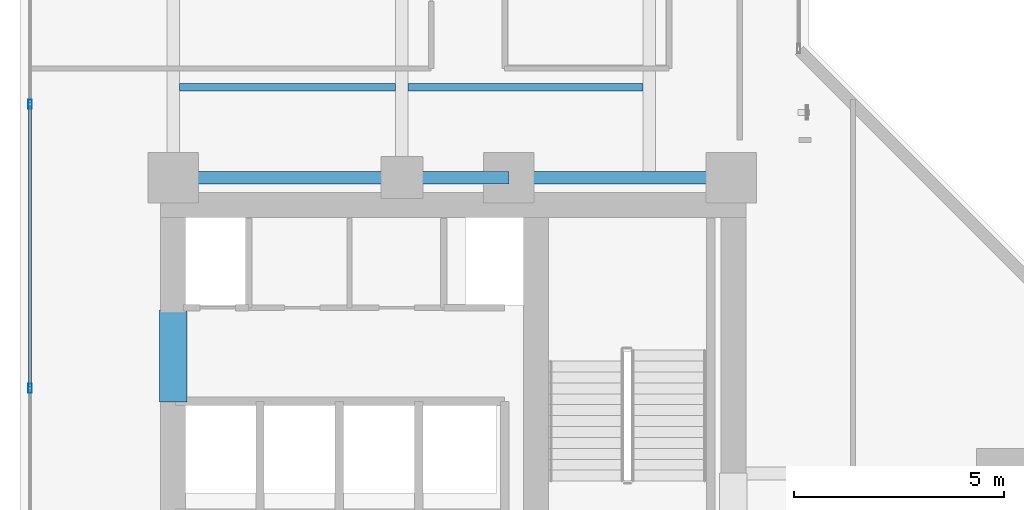
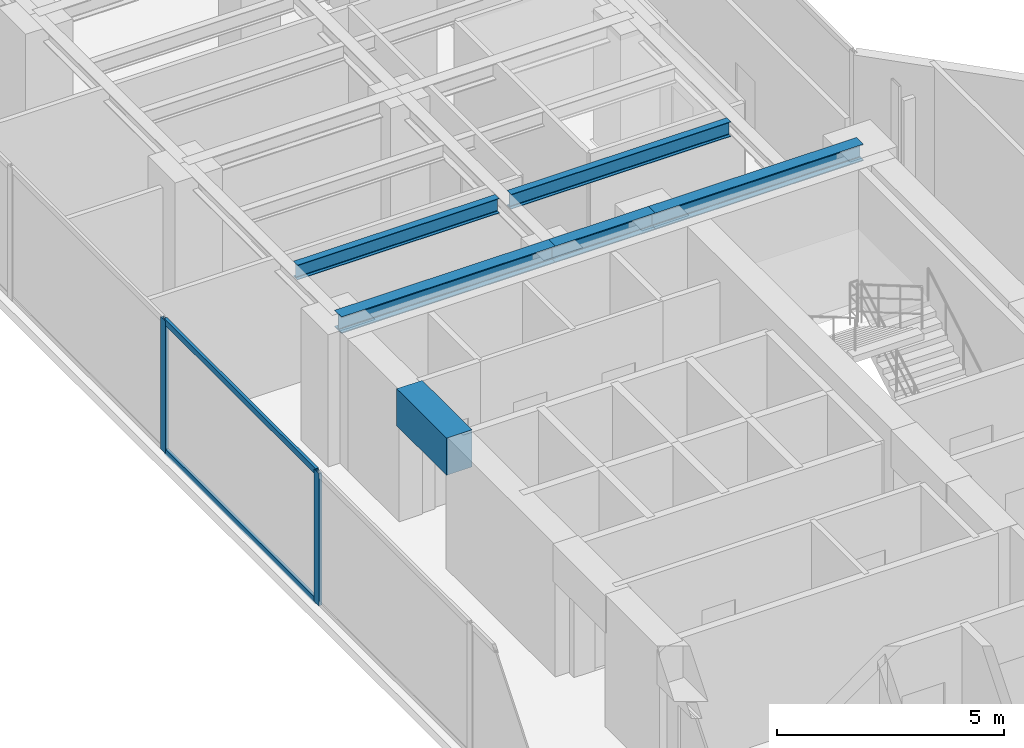
# One storey, part 7 of 27: 6 beams, 4 members, 1 element without a shape of its own.
"""IFC4 building model written with IfcOpenShell, lengths in metres."""

from ifc_helpers import new_model, si_unit, direction, frame, origin, origin_with_axes, origin_2d, place, context, subcontext, project, spatial, rectangle, hollow_rectangle, i_section, extrude, source, transform, mapped, material, layer, layer_set, material_profile, profile_set, type_object, element, aggregate, save


model = new_model("IFC4")

# Units and contexts
model_context = context("Model", 3, precision=1e-05, world=origin(), true_north=direction((0.0, 1.0)))
body_context = subcontext(model_context, "Body", "Model", "MODEL_VIEW")
ifc_project = project(units=[si_unit("LENGTHUNIT", "METRE"), si_unit("AREAUNIT", "SQUARE_METRE"), si_unit("VOLUMEUNIT", "CUBIC_METRE"), si_unit("PLANEANGLEUNIT", "RADIAN"), si_unit("MASSUNIT", "GRAM", prefix="KILO")], contexts=[model_context])

# Site, building, storey
site_placement = place(None, origin())
site = spatial("IfcSite", under=ifc_project, at=site_placement, CompositionType="ELEMENT")
building_placement = place(site_placement, origin())
building = spatial("IfcBuilding", under=site, at=building_placement, Name="Kolvaren Waterfront Exchange", CompositionType="ELEMENT")
storey_placement = place(building_placement, frame((0.0, 0.0, 161.39990234375)))
storey = spatial("IfcBuildingStorey", under=building, at=storey_placement, Name="L41", CompositionType="ELEMENT", Elevation=161.39990234375)

# Beams
ifc_material_1 = material(Name="Steel S355", Category="steel")
ifc_material_profile_1 = material_profile(ifc_material_1, i_section(OverallWidth=0.300048828125, OverallDepth=0.449951171875, WebThickness=0.013916015625, FlangeThickness=0.02587890625, FilletRadius=0.027099609375, at=origin_2d()), Name="HEB450")
ifc_profile_set_1 = profile_set([ifc_material_profile_1], Name="Steel S355")
beam_type_1 = type_object("IfcBeamType", Name="STR-BM-HEB450", PredefinedType="BEAM", material=ifc_profile_set_1)
beam_1_placement = place(storey_placement, frame((7.449951171875, 24.449951171875, 3.335205078125), z_axis=(1.0, 0.0, 0.0), x_axis=(0.0, 1.0, 0.0)))
element("IfcBeam", 1, at=beam_1_placement, inside=storey, type_object=beam_type_1, Name="L41 north-arm girder 1A", PredefinedType="BEAM", context=body_context, shape_type="SweptSolid", body=[
    extrude(i_section(OverallWidth=0.300048828125, OverallDepth=0.449951171875, WebThickness=0.013916015625, FlangeThickness=0.02587890625, FilletRadius=0.027099609375, at=origin_2d()), origin(), (0.0, 0.0, 1.0), 5.449951171875),
])
beam_2_placement = place(storey_placement, frame((12.89990234375, 24.449951171875, 3.335205078125), z_axis=(1.0, 0.0, 0.0), x_axis=(0.0, 1.0, 0.0)))
element("IfcBeam", 2, at=beam_2_placement, inside=storey, type_object=beam_type_1, Name="L41 north-arm girder 1B", PredefinedType="BEAM", context=body_context, shape_type="SweptSolid", body=[
    extrude(i_section(OverallWidth=0.300048828125, OverallDepth=0.449951171875, WebThickness=0.013916015625, FlangeThickness=0.02587890625, FilletRadius=0.027099609375, at=origin_2d()), origin(), (0.0, 0.0, 1.0), 2.550048828125),
])
beam_3_placement = place(storey_placement, frame((15.449951171875, 24.449951171875, 3.335205078125), z_axis=(1.0, 0.0, 0.0), x_axis=(0.0, 1.0, 0.0)))
element("IfcBeam", 3, at=beam_3_placement, inside=storey, type_object=beam_type_1, Name="L41 north-arm girder 1C", PredefinedType="BEAM", context=body_context, shape_type="SweptSolid", body=[
    extrude(i_section(OverallWidth=0.300048828125, OverallDepth=0.449951171875, WebThickness=0.013916015625, FlangeThickness=0.02587890625, FilletRadius=0.027099609375, at=origin_2d()), origin(), (0.0, 0.0, 1.0), 5.300048828125),
])
ifc_material_profile_2 = material_profile(ifc_material_1, i_section(OverallWidth=0.179931640625, OverallDepth=0.39990234375, WebThickness=0.008544921875, FlangeThickness=0.013427734375, FilletRadius=0.02099609375, at=origin_2d()), Name="IPE400")
ifc_profile_set_2 = profile_set([ifc_material_profile_2], Name="Steel S355")
beam_type_2 = type_object("IfcBeamType", Name="STR-BM-IPE400", PredefinedType="JOIST", material=ifc_profile_set_2)
beam_4_placement = place(storey_placement, frame((7.60205078125, 26.60009765625, 3.360107421875), z_axis=(1.0, 0.0, 0.0), x_axis=(0.0, 1.0, 0.0)))
element("IfcBeam", 4, at=beam_4_placement, inside=storey, type_object=beam_type_2, Name="L41 north-arm composite joist 1A", PredefinedType="JOIST", context=body_context, shape_type="SweptSolid", body=[
    extrude(i_section(OverallWidth=0.179931640625, OverallDepth=0.39990234375, WebThickness=0.008544921875, FlangeThickness=0.013427734375, FilletRadius=0.02099609375, at=origin_2d()), origin(), (0.0, 0.0, 1.0), 5.14599609375),
])
beam_5_placement = place(storey_placement, frame((13.052001953125, 26.60009765625, 3.360107421875), z_axis=(1.0, 0.0, 0.0), x_axis=(0.0, 1.0, 0.0)))
element("IfcBeam", 5, at=beam_5_placement, inside=storey, type_object=beam_type_2, Name="L41 north-arm composite joist 1B", PredefinedType="JOIST", context=body_context, shape_type="SweptSolid", body=[
    extrude(i_section(OverallWidth=0.179931640625, OverallDepth=0.39990234375, WebThickness=0.008544921875, FlangeThickness=0.013427734375, FilletRadius=0.02099609375, at=origin_2d()), origin(), (0.0, 0.0, 1.0), 5.595947265625),
])
ifc_material_2 = material(Name="Concrete C60/75", Category="concrete")
ifc_material_profile_3 = material_profile(ifc_material_2, rectangle(XDim=0.64990234375, YDim=1.0, at=origin_2d()), Name="RC-CB-1000x650")
ifc_profile_set_3 = profile_set([ifc_material_profile_3], Name="Concrete C60/75")
beam_type_3 = type_object("IfcBeamType", Name="STR-CB-1000", PredefinedType="SPANDREL", material=ifc_profile_set_3)
beam_6_placement = place(storey_placement, frame((7.449951171875, 19.10009765625, 3.06005859375), z_axis=(0.0, 1.0, 0.0), x_axis=(-1.0, 0.0, 0.0)))
element("IfcBeam", 6, at=beam_6_placement, inside=storey, type_object=beam_type_3, Name="L41 core coupling beam 5", PredefinedType="SPANDREL", context=body_context, shape_type="SweptSolid", body=[
    extrude(rectangle(XDim=0.64990234375, YDim=1.0, at=origin_2d()), origin(), (0.0, 0.0, 1.0), 2.199951171875),
])

# Curtain wall, members
ifc_material_3 = material(Name="Anodised aluminium 6063-T6", Category="aluminium")
ifc_layer = layer(ifc_material_3, 0.219970703125, Name="Anodised aluminium 6063-T6")
ifc_layer_set = layer_set([ifc_layer], Name="Anodised aluminium 6063-T6")
curtain_wall_type = type_object("IfcCurtainWallType", Name="ARC-CW-SYS2", PredefinedType="USERDEFINED", material=ifc_layer_set)
curtain_wall_placement = place(storey_placement, origin())
curtain_wall = element("IfcCurtainWall", 7, at=curtain_wall_placement, inside=storey, type_object=curtain_wall_type, Name="L41 stick curtain wall CW2 (CW-L41-W)", ObjectType="STICK CURTAIN WALL", PredefinedType="USERDEFINED")
ifc_material_profile_4 = material_profile(ifc_material_3, hollow_rectangle(XDim=0.080078125, YDim=0.219970703125, WallThickness=0.0048828125, at=origin_2d()), Name="ALU-MUL-220x80x5")
ifc_profile_set_4 = profile_set([ifc_material_profile_4], Name="Anodised aluminium 6063-T6")
member_type_1 = type_object("IfcMemberType", Name="ARC-CWM-220", PredefinedType="MULLION", material=ifc_profile_set_4)
shared_shape_1 = source(origin_with_axes(), body_context, "Body", "SweptSolid", [
    extrude(hollow_rectangle(XDim=0.080078125, YDim=0.219970703125, WallThickness=0.0048828125, at=origin_2d()), origin(), (0.0, 0.0, 1.0), 3.56005859375),
])
member_1_placement = place(storey_placement, frame((4.0400390625, 19.433349609375, 0.0), z_axis=(0.0, 0.0, 1.0), x_axis=(-1.0, 0.0, 0.0)))
member_1 = element("IfcMember", 8, at=member_1_placement, type_object=member_type_1, Name="CW2 mullion 3", PredefinedType="MULLION", context=body_context, shape_type="MappedRepresentation", body=[
    mapped(shared_shape_1, transform((0.0, 0.0, 0.0), x_axis=(1.0, 0.0, 0.0), y_axis=(0.0, 1.0, 0.0), z_axis=(0.0, 0.0, 1.0), scale=1.0)),
])
member_2_placement = place(storey_placement, frame((4.0400390625, 26.199951171875, 0.0), z_axis=(0.0, 0.0, 1.0), x_axis=(-1.0, 0.0, 0.0)))
member_2 = element("IfcMember", 9, at=member_2_placement, type_object=member_type_1, Name="CW2 mullion 4", PredefinedType="MULLION", context=body_context, shape_type="MappedRepresentation", body=[
    mapped(shared_shape_1, transform((0.0, 0.0, 0.0), x_axis=(1.0, 0.0, 0.0), y_axis=(0.0, 1.0, 0.0), z_axis=(0.0, 0.0, 1.0), scale=1.0)),
])
ifc_material_profile_5 = material_profile(ifc_material_3, hollow_rectangle(XDim=0.074951171875, YDim=0.159912109375, WallThickness=0.00439453125, at=origin_2d()), Name="ALU-TRN-160x75x4.5")
ifc_profile_set_5 = profile_set([ifc_material_profile_5], Name="Anodised aluminium 6063-T6")
member_type_2 = type_object("IfcMemberType", Name="ARC-CWT-160", PredefinedType="USERDEFINED", material=ifc_profile_set_5)
shared_shape_2 = source(origin_with_axes(), body_context, "Body", "SweptSolid", [
    extrude(hollow_rectangle(XDim=0.074951171875, YDim=0.159912109375, WallThickness=0.00439453125, at=origin_2d()), origin(), (0.0, 0.0, 1.0), 6.6865234375),
])
member_3_placement = place(storey_placement, frame((4.0400390625, 19.473388671875, 0.03759765625), z_axis=(0.0, 1.0, 0.0), x_axis=(-1.0, 0.0, 0.0)))
member_3 = element("IfcMember", 10, at=member_3_placement, type_object=member_type_2, Name="CW2 transom 3.1", ObjectType="TRANSOM", PredefinedType="USERDEFINED", context=body_context, shape_type="MappedRepresentation", body=[
    mapped(shared_shape_2, transform((0.0, 0.0, 0.0), x_axis=(1.0, 0.0, 0.0), y_axis=(0.0, 1.0, 0.0), z_axis=(0.0, 0.0, 1.0), scale=1.0)),
])
member_4_placement = place(storey_placement, frame((4.0400390625, 19.473388671875, 3.522705078125), z_axis=(0.0, 1.0, 0.0), x_axis=(-1.0, 0.0, 0.0)))
member_4 = element("IfcMember", 11, at=member_4_placement, type_object=member_type_2, Name="CW2 transom 3.2", ObjectType="TRANSOM", PredefinedType="USERDEFINED", context=body_context, shape_type="MappedRepresentation", body=[
    mapped(shared_shape_2, transform((0.0, 0.0, 0.0), x_axis=(1.0, 0.0, 0.0), y_axis=(0.0, 1.0, 0.0), z_axis=(0.0, 0.0, 1.0), scale=1.0)),
])
aggregate(curtain_wall, [member_1, member_2, member_3, member_4])

save(model, "model.ifc")
